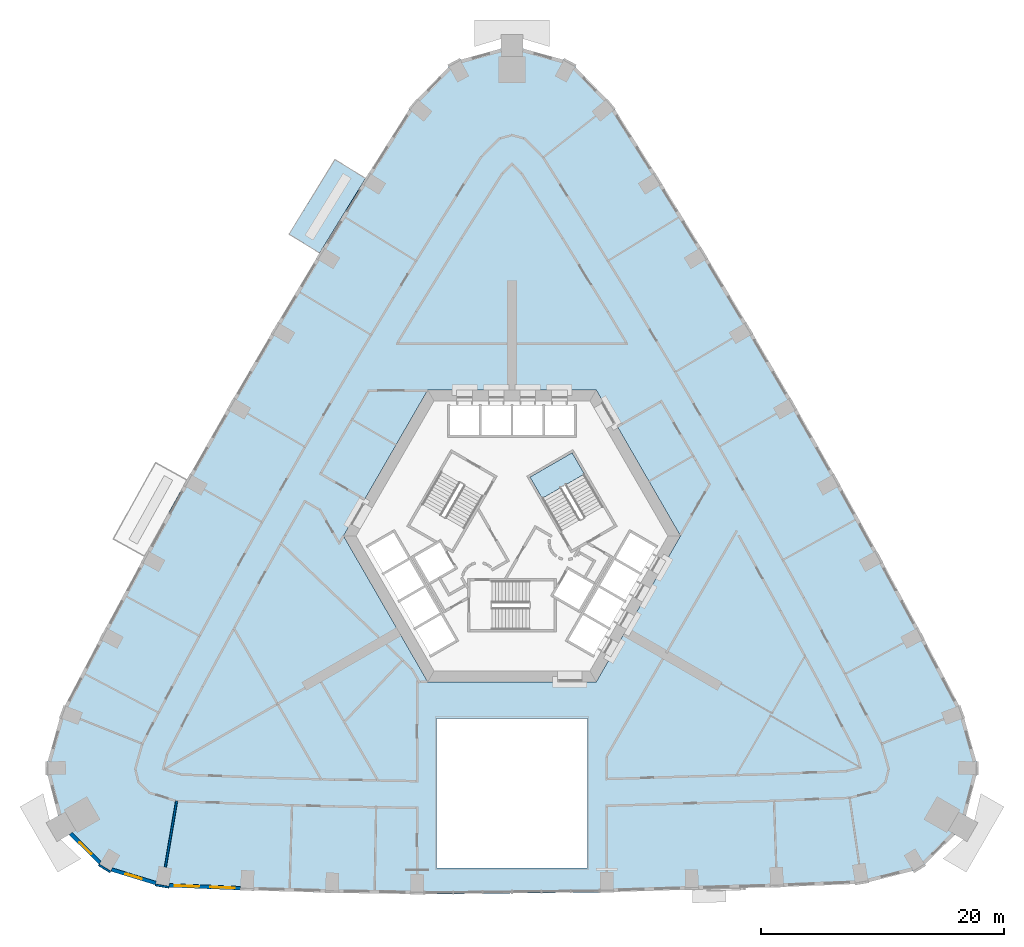
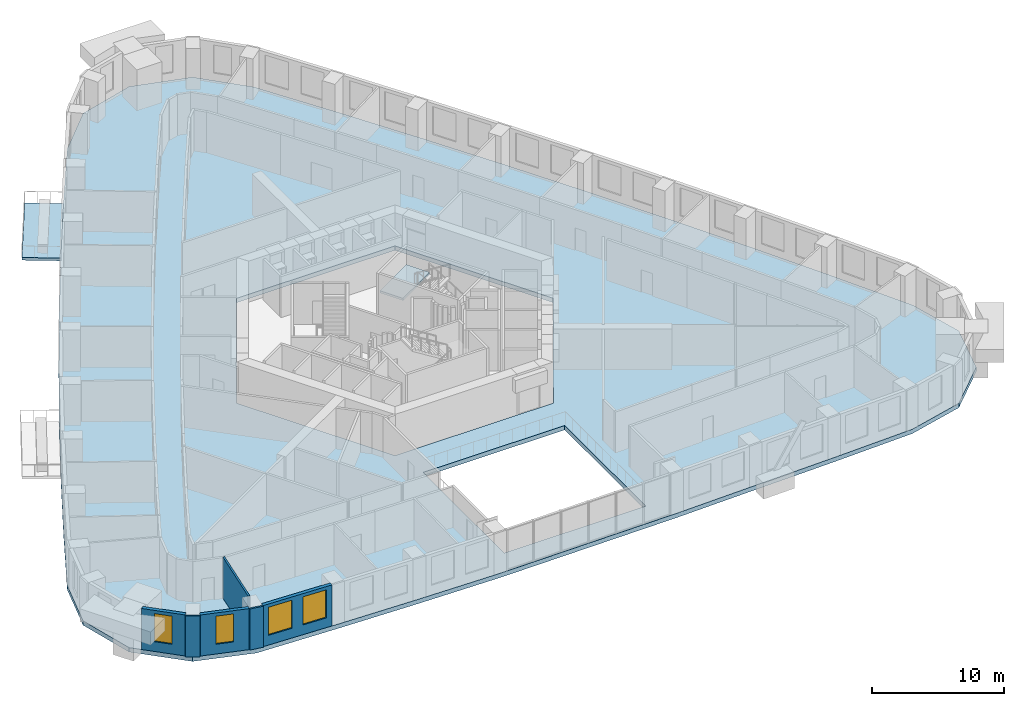
# One storey, part 3 of 15: 6 walls, 4 windows, 3 slabs, 4 openings, 1 element without a shape of its own.
"""IFC4 building model written with IfcOpenShell, lengths in metres."""

import ifcopenshell
import ifcopenshell.guid

model = None  # the IFC model being written
_history = None  # IfcOwnerHistory: only IFC2X3 demands one
_inside = {}  # id of a spatial element -> (the spatial element, [elements in it])
_under = {}  # id of a project, library or spatial element -> (it, [spatial elements below it])
_declared = {}  # id of a project -> (the project, [libraries it declares])
_typed = {}  # id of a type object -> (the type object, [elements of that type])
_made_of = {}  # id of a material, layer set ... -> (it, [elements and type objects made of it])


def new_model(schema):
    """Start an empty IFC model of exactly this schema.

    Asked for "IFC4X3", IfcOpenShell would pick the latest addendum, in which some entities
    have other attributes; the version numbers below select the first issue.
    IFC2X3 requires an IfcOwnerHistory on every rooted entity: one is made here for all.
    """
    global model, _history
    if schema == "IFC4X3":
        model = ifcopenshell.file(schema_version=(4, 3, 0, 0))
    else:
        model = ifcopenshell.file(schema=schema)
    _inside.clear()
    _under.clear()
    _declared.clear()
    _typed.clear()
    _made_of.clear()
    _history = None
    if model.schema == "IFC2X3":
        org = make("IfcOrganization", Name="unknown")
        user = make(
            "IfcPersonAndOrganization",
            ThePerson=make("IfcPerson", FamilyName="unknown"),
            TheOrganization=org,
        )
        app = make(
            "IfcApplication",
            ApplicationDeveloper=org,
            Version="unknown",
            ApplicationFullName="unknown",
            ApplicationIdentifier="unknown",
        )
        _history = make(
            "IfcOwnerHistory",
            OwningUser=user,
            OwningApplication=app,
            ChangeAction="ADDED",
            CreationDate=0,
        )
    return model


def make(cls, **values):
    """One entity of the class cls with the attributes given. An attribute that is None is left unset."""
    return model.create_entity(
        cls, **{name: value for name, value in values.items() if value is not None}
    )


def rooted(cls, **values):
    """An entity with a GlobalId (a new one), such as an element, a storey or a relation."""
    return make(cls, GlobalId=ifcopenshell.guid.new(), OwnerHistory=_history, **values)


def si_unit(unit_type, name, prefix=None):
    """IfcSIUnit, for example si_unit("LENGTHUNIT", "METRE", prefix="MILLI")."""
    return make("IfcSIUnit", UnitType=unit_type, Prefix=prefix, Name=name)


def assignment(units):
    """IfcUnitAssignment: the units of a project."""
    return None if units is None else make("IfcUnitAssignment", Units=units)


def point(xyz):
    """IfcCartesianPoint."""
    return None if xyz is None else make("IfcCartesianPoint", Coordinates=xyz)


def direction(xyz):
    """IfcDirection."""
    return None if xyz is None else make("IfcDirection", DirectionRatios=xyz)


def frame(location, z_axis=None, x_axis=None):
    """IfcAxis2Placement3D, a coordinate frame: its origin and axes. An axis left out is left unset."""
    return make(
        "IfcAxis2Placement3D",
        Location=point(location),
        Axis=direction(z_axis),
        RefDirection=direction(x_axis),
    )


def frame_2d(location, x_axis=None):
    """IfcAxis2Placement2D, a coordinate frame in the plane: its origin and x axis."""
    return make(
        "IfcAxis2Placement2D", Location=point(location), RefDirection=direction(x_axis)
    )


def origin():
    """The frame at (0, 0, 0) with its axes left unset."""
    return frame((0.0, 0.0, 0.0))


def place(relative_to, where):
    """IfcLocalPlacement: puts the frame where relative to a parent placement (None: the world)."""
    return make(
        "IfcLocalPlacement", PlacementRelTo=relative_to, RelativePlacement=where
    )


def context(
    kind, dimensions, precision=None, world=None, true_north=None, identifier=None
):
    """IfcGeometricRepresentationContext, for example the 3D "Model" context."""
    return make(
        "IfcGeometricRepresentationContext",
        ContextIdentifier=identifier,
        ContextType=kind,
        CoordinateSpaceDimension=dimensions,
        Precision=precision,
        WorldCoordinateSystem=world,
        TrueNorth=true_north,
    )


def subcontext(parent, identifier, kind, view, scale=None):
    """IfcGeometricRepresentationSubContext, for example "Body" below "Model"."""
    return make(
        "IfcGeometricRepresentationSubContext",
        ContextIdentifier=identifier,
        ContextType=kind,
        ParentContext=parent,
        TargetScale=scale,
        TargetView=view,
    )


def project(units=None, contexts=None):
    """IfcProject with its units and contexts."""
    return rooted(
        "IfcProject",
        Name="project",
        RepresentationContexts=contexts,
        UnitsInContext=assignment(units),
    )


def spatial(cls, under=None, at=None, **own):
    """A site, building, storey or space (cls), placed at a placement, below another one or the project."""
    s = rooted(cls, ObjectPlacement=at, **own)
    if under is not None:
        _under.setdefault(under.id(), (under, []))[1].append(s)
    return s


def polyline(points):
    """IfcPolyline through the points."""
    return make("IfcPolyline", Points=[point(p) for p in points])


def profile(cls, at=None, kind="AREA", **sizes):
    """A parametric profile (cls). Its sizes go by their IFC names, for example OverallWidth=200.0."""
    return make(cls, ProfileType=kind, Position=at, **sizes)


def rectangle(**sizes):
    """IfcRectangleProfileDef."""
    return profile("IfcRectangleProfileDef", **sizes)


def outline(outer, holes=None, kind="AREA"):
    """IfcArbitraryClosedProfileDef: a profile drawn as a closed curve; with holes, ...WithVoids."""
    if holes is None:
        return make("IfcArbitraryClosedProfileDef", ProfileType=kind, OuterCurve=outer)
    return make(
        "IfcArbitraryProfileDefWithVoids",
        ProfileType=kind,
        OuterCurve=outer,
        InnerCurves=holes,
    )


def extrude(swept, where, along, depth):
    """IfcExtrudedAreaSolid: the profile swept, set in the frame where, extruded along a direction by depth."""
    return make(
        "IfcExtrudedAreaSolid",
        SweptArea=swept,
        Position=where,
        ExtrudedDirection=direction(along),
        Depth=depth,
    )


def shape(context_of_items, identifier, shape_type, items):
    """IfcShapeRepresentation: the items that make up one representation, for example the "Body"."""
    return make(
        "IfcShapeRepresentation",
        ContextOfItems=context_of_items,
        RepresentationIdentifier=identifier,
        RepresentationType=shape_type,
        Items=items,
    )


def material(Name=None, Category=None):
    """IfcMaterial."""
    return make("IfcMaterial", Name=Name, Category=Category)


def layer(
    of_material, thickness, ventilated=None, Name=None, Category=None, Priority=None
):
    """IfcMaterialLayer: one layer of a wall or slab, of a material (None: an air gap)."""
    return make(
        "IfcMaterialLayer",
        Material=of_material,
        LayerThickness=thickness,
        IsVentilated=ventilated,
        Name=Name,
        Category=Category,
        Priority=Priority,
    )


def layer_set(layers, Name=None):
    """IfcMaterialLayerSet."""
    return make("IfcMaterialLayerSet", MaterialLayers=layers, LayerSetName=Name)


def made_of(thing, what):
    """Note that an element or type object is made of a material, layer set ...; save() writes the relation."""
    if what is not None:
        _made_of.setdefault(what.id(), (what, []))[1].append(thing)
    return thing


def type_object(cls, material=None, **own):
    """A type object (cls), such as IfcWallType, which elements share."""
    return made_of(rooted(cls, **own), material)


def element(
    cls,
    number,
    at=None,
    inside=None,
    cuts=None,
    type_object=None,
    material=None,
    context=None,
    identifier="Body",
    shape_type=None,
    held_by="IfcProductDefinitionShape",
    body=None,
    shapes=None,
    **own,
):
    """One element of the class cls, such as IfcWall. Its Tag is "e" and its number.

    at: its placement. inside: the storey or other place that contains it. cuts: it is an
    opening in that element (IfcRelVoidsElement). A single representation is given by context,
    identifier, shape_type and body (its items); several are given by shapes. held_by: the class
    of the entity that holds the representations. save() writes the other relations.
    """
    e = rooted(cls, Tag="e%d" % number, ObjectPlacement=at, **own)
    if body is not None:
        shapes = [shape(context, identifier, shape_type, body)]
    if shapes is not None:
        e.Representation = make(held_by, Representations=shapes)
    if inside is not None:
        _inside.setdefault(inside.id(), (inside, []))[1].append(e)
    if cuts is not None:
        rooted(
            "IfcRelVoidsElement", RelatingBuildingElement=cuts, RelatedOpeningElement=e
        )
    if type_object is not None:
        _typed.setdefault(type_object.id(), (type_object, []))[1].append(e)
    return made_of(e, material)


def fill(opening, filler):
    """IfcRelFillsElement: the door or window that sits in an opening."""
    return rooted(
        "IfcRelFillsElement",
        RelatingOpeningElement=opening,
        RelatedBuildingElement=filler,
    )


def aggregate(whole, parts):
    """IfcRelAggregates: a whole, such as a stair, and the parts it consists of."""
    return rooted("IfcRelAggregates", RelatingObject=whole, RelatedObjects=parts)


def save(model, path):
    """Write the relations noted so far, then the file.

    IfcRelAggregates (storeys below a building ...), IfcRelContainedInSpatialStructure (elements
    in a storey), IfcRelDefinesByType, IfcRelAssociatesMaterial and IfcRelDeclares: one each for
    every whole, place, type object, material and project.
    """
    for whole, parts in _under.values():
        aggregate(whole, parts)
    for where, things in _inside.values():
        rooted(
            "IfcRelContainedInSpatialStructure",
            RelatedElements=things,
            RelatingStructure=where,
        )
    for kind, things in _typed.values():
        rooted("IfcRelDefinesByType", RelatedObjects=things, RelatingType=kind)
    for what, things in _made_of.values():
        rooted("IfcRelAssociatesMaterial", RelatedObjects=things, RelatingMaterial=what)
    for by, libraries in _declared.values():
        rooted("IfcRelDeclares", RelatingContext=by, RelatedDefinitions=libraries)
    model.write(path)


model = new_model("IFC4")

# Units and contexts
model_context = context("Model", 3, precision=1e-05, world=origin(), true_north=direction((0.0, 1.0)))
body_context = subcontext(model_context, "Body", "Model", "MODEL_VIEW")
ifc_project = project(units=[si_unit("LENGTHUNIT", "METRE"), si_unit("AREAUNIT", "SQUARE_METRE"), si_unit("VOLUMEUNIT", "CUBIC_METRE"), si_unit("PLANEANGLEUNIT", "RADIAN"), si_unit("MASSUNIT", "GRAM", prefix="KILO")], contexts=[model_context])

# Site, building, storey
site_placement = place(None, origin())
site = spatial("IfcSite", under=ifc_project, at=site_placement, CompositionType="ELEMENT")
building_placement = place(site_placement, origin())
building = spatial("IfcBuilding", under=site, at=building_placement, Name="Entoto Arch Interchange Tower", CompositionType="ELEMENT")
storey_placement = place(building_placement, frame((0.0, 0.0, 107.60009765625)))
storey = spatial("IfcBuildingStorey", under=building, at=storey_placement, Name="L23", CompositionType="ELEMENT", Elevation=107.60009765625)

# Slab
ifc_material_1 = material(Name="Board-marked precast concrete C50/60", Category="concrete")
ifc_layer_1 = layer(ifc_material_1, 0.25)
ifc_layer_set_1 = layer_set([ifc_layer_1], Name="Board-marked precast concrete C50/60")
slab_type_1 = type_object("IfcSlabType", Name="BALCONY DECK PRECAST 250", PredefinedType="FLOOR", material=ifc_layer_set_1)
slab_1_placement = place(storey_placement, frame((0.0, 0.0, -0.25)))
element("IfcSlab", 1, at=slab_1_placement, inside=storey, type_object=slab_type_1, Name="Planted balcony NW-02 L23", PredefinedType="FLOOR", context=body_context, shape_type="SweptSolid", body=[
    extrude(outline(polyline([(-12.0458984375, 31.905029296875), (-15.822021484375, 25.77001953125), (-18.333984375, 27.31591796875), (-14.55810546875, 33.450927734375), (-12.0458984375, 31.905029296875)])), origin(), (0.0, 0.0, 1.0), 0.25),
])

# Stair, slab
ifc_material_2 = material(Name="Concrete C40/50", Category="concrete")
stair_type = type_object("IfcStairType", Name="EXIT STAIR RC 1800", PredefinedType="HALF_TURN_STAIR", material=ifc_material_2)
stair_placement = place(storey_placement, origin())
stair = element("IfcStair", 2, at=stair_placement, inside=storey, type_object=stair_type, Name="L23 Exit stair NE", PredefinedType="HALF_TURN_STAIR")
ifc_layer_2 = layer(ifc_material_2, 0.199951171875)
ifc_layer_set_2 = layer_set([ifc_layer_2], Name="Concrete C40/50")
slab_type_2 = type_object("IfcSlabType", Name="EXIT STAIR LANDING RC 200", PredefinedType="LANDING", material=ifc_layer_set_2)
slab_2_placement = place(storey_placement, frame((0.0, 0.0, 1.89990234375)))
slab_2 = element("IfcSlab", 3, at=slab_2_placement, type_object=slab_type_2, Name="ST-NE landing 1", PredefinedType="LANDING", context=body_context, shape_type="SweptSolid", body=[
    extrude(outline(polyline([(5.953369140625, 7.58837890625), (4.943359375, 9.337890625), (1.479248046875, 7.337890625), (2.4892578125, 5.58837890625), (5.953369140625, 7.58837890625)])), origin(), (0.0, 0.0, 1.0), 0.199951171875),
])
aggregate(stair, [slab_2])

# Slab
ifc_layer_3 = layer(ifc_material_2, 0.39990234375)
ifc_layer_set_3 = layer_set([ifc_layer_3], Name="Concrete C40/50")
slab_type_3 = type_object("IfcSlabType", Name="Post-tensioned flat plate 400 C40/50", PredefinedType="FLOOR", material=ifc_layer_set_3)
slab_3_placement = place(storey_placement, frame((0.0, 0.0, -0.400146484375)))
element("IfcSlab", 4, at=slab_3_placement, inside=storey, type_object=slab_type_3, Name="Floor slab L23", PredefinedType="FLOOR", context=body_context, shape_type="SweptSolid", body=[
    extrude(outline(polyline([(-28.783935546875, -26.364990234375), (-21.7890625, -26.64208984375), (-14.794921875, -26.843017578125), (-7.800048828125, -26.966064453125), (7.800048828125, -26.7939453125), (14.794921875, -26.5791015625), (21.7890625, -26.3779296875), (28.783935546875, -26.10107421875), (33.5458984375, -24.90087890625), (37.089111328125, -21.4140625), (38.337890625, -16.60205078125), (37.031982421875, -11.947998046875), (33.653076171875, -5.52099609375), (30.22802734375, 0.81689453125), (26.73291015625, 7.115966796875), (23.166015625, 13.375), (19.529052734375, 19.593017578125), (15.822021484375, 25.77001953125), (12.0458984375, 31.905029296875), (8.1689453125, 38.044921875), (4.7919921875, 41.501953125), (0.0, 42.826904296875), (-4.7919921875, 41.501953125), (-8.1689453125, 38.044921875), (-12.0458984375, 31.905029296875), (-15.822021484375, 25.77001953125), (-19.529052734375, 19.593017578125), (-23.166015625, 13.375), (-26.73291015625, 7.115966796875), (-30.22802734375, 0.81689453125), (-33.653076171875, -5.52099609375), (-37.031982421875, -11.947998046875), (-38.337890625, -16.60205078125), (-37.089111328125, -21.4140625), (-33.5458984375, -24.90087890625), (-28.783935546875, -26.364990234375)]), holes=[polyline([(6.199951171875, -24.7939453125), (6.199951171875, -12.5), (-6.199951171875, -12.5), (-6.199951171875, -24.7939453125), (6.199951171875, -24.7939453125)]), polyline([(13.85595703125, 2.5), (6.927978515625, 14.5), (-6.927978515625, 14.5), (-13.85595703125, 2.5), (-6.927978515625, -9.5), (6.927978515625, -9.5), (13.85595703125, 2.5)])]), origin(), (0.0, 0.0, 1.0), 0.400146484375),
])

# Wall
ifc_material_3 = material(Name="Gypsum board partition on steel studs", Category="steel")
ifc_layer_4 = layer(ifc_material_3, 0.14990234375)
ifc_layer_set_4 = layer_set([ifc_layer_4], Name="Gypsum board partition on steel studs")
wall_type_1 = type_object("IfcWallType", Name="PARTITION 150", PredefinedType="PARTITIONING", material=ifc_layer_set_4)
wall_1_placement = place(storey_placement, frame((-27.580078125, -19.306884765625, 0.0), z_axis=(0.0, 0.0, 1.0), x_axis=(-0.168089900424, -0.98577167, 0.0)))
element("IfcWall", 5, at=wall_1_placement, inside=storey, type_object=wall_type_1, Name="wall:L23:p153", PredefinedType="PARTITIONING", context=body_context, shape_type="SweptSolid", body=[
    extrude(rectangle(XDim=5.490234375, YDim=0.14990234375, at=frame_2d((2.7451171875, 0.0))), origin(), (0.0, 0.0, 1.0), 3.7998046875),
])

# Wall, openings, windows
ifc_material_4 = material(Name="Welded tuff (ignimbrite) cladding, warm buff", Category="masonry")
ifc_layer_5 = layer(ifc_material_4, 0.300048828125)
ifc_layer_set_5 = layer_set([ifc_layer_5], Name="Welded tuff (ignimbrite) cladding, warm buff")
wall_type_2 = type_object("IfcWallType", Name="STONE INFILL WALL 300", PredefinedType="STANDARD", material=ifc_layer_set_5)
wall_2_placement = place(storey_placement, frame((-28.205078125, -26.238037109375, 0.0), z_axis=(0.0, 0.0, 1.0), x_axis=(0.99922113396, -0.039460428885, 0.0)))
wall_2 = element("IfcWall", 6, at=wall_2_placement, inside=storey, type_object=wall_type_2, Name="Facade wall S-01 L23", PredefinedType="STANDARD", context=body_context, shape_type="SweptSolid", body=[
    extrude(rectangle(XDim=5.877685546875, YDim=0.300048828125, at=frame_2d((2.93896484375, 0.0))), origin(), (0.0, 0.0, 1.0), 3.7998046875),
])
opening_1_placement = place(wall_2_placement, frame((0.468994140625, 0.0, 0.89990234375)))
opening_1 = element("IfcOpeningElement", 7, at=opening_1_placement, cuts=wall_2, Name="Opening WO-C", PredefinedType="OPENING", context=body_context, shape_type="SweptSolid", body=[
    extrude(rectangle(XDim=2.0, YDim=2.60009765625, at=frame_2d((1.0, 1.300048828125))), frame((0.0, 0.16015625, 0.0), z_axis=(0.0, -1.0, 0.0), x_axis=(1.0, 0.0, 0.0)), (0.0, 0.0, 1.0), 0.320068359375),
])
opening_2_placement = place(wall_2_placement, frame((3.407958984375, 0.0, 0.89990234375)))
opening_2 = element("IfcOpeningElement", 8, at=opening_2_placement, cuts=wall_2, Name="Opening WO-C", PredefinedType="OPENING", context=body_context, shape_type="SweptSolid", body=[
    extrude(rectangle(XDim=2.0, YDim=2.60009765625, at=frame_2d((1.0, 1.300048828125))), frame((0.0, 0.16015625, 0.0), z_axis=(0.0, -1.0, 0.0), x_axis=(1.0, 0.0, 0.0)), (0.0, 0.0, 1.0), 0.320068359375),
])
ifc_material_5 = material(Name="Clear glass, low-e double glazed", Category="glass")
window_type_1 = type_object("IfcWindowType", Name="WINDOW WO-C 2000x2600", PartitioningType="DOUBLE_PANEL_VERTICAL", PredefinedType="WINDOW", material=ifc_material_5)
window_1_placement = place(opening_1_placement, origin())
window_1 = element("IfcWindow", 9, at=window_1_placement, inside=storey, type_object=window_type_1, Name="Window WO-C S-01 L23", OverallHeight=2.60009765625, OverallWidth=2.0, PartitioningType="SINGLE_PANEL", PredefinedType="WINDOW", context=body_context, shape_type="SweptSolid", body=[
    extrude(rectangle(XDim=2.0, YDim=2.60009765625, at=frame_2d((1.0, 1.300048828125))), frame((0.0, 0.030029296875, 0.0), z_axis=(0.0, -1.0, 0.0), x_axis=(1.0, 0.0, 0.0)), (0.0, 0.0, 1.0), 0.06005859375),
])
fill(opening_1, window_1)
window_2_placement = place(opening_2_placement, origin())
window_2 = element("IfcWindow", 10, at=window_2_placement, inside=storey, type_object=window_type_1, Name="Window WO-C S-01 L23", OverallHeight=2.60009765625, OverallWidth=2.0, PartitioningType="SINGLE_PANEL", PredefinedType="WINDOW", context=body_context, shape_type="SweptSolid", body=[
    extrude(rectangle(XDim=2.0, YDim=2.60009765625, at=frame_2d((1.0, 1.300048828125))), frame((0.0, 0.030029296875, 0.0), z_axis=(0.0, -1.0, 0.0), x_axis=(1.0, 0.0, 0.0)), (0.0, 0.0, 1.0), 0.06005859375),
])
fill(opening_2, window_2)

# Wall, opening, window
wall_3_placement = place(storey_placement, frame((-36.2890625, -21.989990234375, 0.0), z_axis=(0.0, 0.0, 1.0), x_axis=(0.712546371703, -0.701625019631, 0.0)))
wall_3 = element("IfcWall", 11, at=wall_3_placement, inside=storey, type_object=wall_type_2, Name="Facade wall SW-03 L23", PredefinedType="STANDARD", context=body_context, shape_type="SweptSolid", body=[
    extrude(rectangle(XDim=3.39794921875, YDim=0.300048828125, at=frame_2d((1.698974609375, 0.0))), origin(), (0.0, 0.0, 1.0), 3.7998046875),
])
opening_3_placement = place(wall_3_placement, frame((0.9990234375, 0.0, 0.89990234375)))
opening_3 = element("IfcOpeningElement", 12, at=opening_3_placement, cuts=wall_3, Name="Opening WO-B", PredefinedType="OPENING", context=body_context, shape_type="SweptSolid", body=[
    extrude(rectangle(XDim=1.39990234375, YDim=2.60009765625, at=frame_2d((0.699951171875, 1.300048828125))), frame((0.0, 0.16015625, 0.0), z_axis=(0.0, -1.0, 0.0), x_axis=(1.0, 0.0, 0.0)), (0.0, 0.0, 1.0), 0.320068359375),
])
window_type_2 = type_object("IfcWindowType", Name="WINDOW WO-B 1400x2600", PartitioningType="DOUBLE_PANEL_VERTICAL", PredefinedType="WINDOW", material=ifc_material_5)
window_3_placement = place(opening_3_placement, origin())
window_3 = element("IfcWindow", 13, at=window_3_placement, inside=storey, type_object=window_type_2, Name="Window WO-B SW-03 L23", OverallHeight=2.60009765625, OverallWidth=1.39990234375, PartitioningType="SINGLE_PANEL", PredefinedType="WINDOW", context=body_context, shape_type="SweptSolid", body=[
    extrude(rectangle(XDim=1.39990234375, YDim=2.60009765625, at=frame_2d((0.699951171875, 1.300048828125))), frame((0.0, 0.030029296875, 0.0), z_axis=(0.0, -1.0, 0.0), x_axis=(1.0, 0.0, 0.0)), (0.0, 0.0, 1.0), 0.06005859375),
])
fill(opening_3, window_3)

wall_4_placement = place(storey_placement, frame((-32.924072265625, -24.93505859375, 0.0), z_axis=(0.0, 0.0, 1.0), x_axis=(0.955841433148, -0.293882892794, 0.0)))
wall_4 = element("IfcWall", 14, at=wall_4_placement, inside=storey, type_object=wall_type_2, Name="Facade wall SW-04 L23", PredefinedType="STANDARD", context=body_context, shape_type="SweptSolid", body=[
    extrude(rectangle(XDim=3.803955078125, YDim=0.300048828125, at=frame_2d((1.90185546875, 0.0))), origin(), (0.0, 0.0, 1.0), 3.7998046875),
])
opening_4_placement = place(wall_4_placement, frame((1.201904296875, 0.0, 0.89990234375)))
opening_4 = element("IfcOpeningElement", 15, at=opening_4_placement, cuts=wall_4, Name="Opening WO-B", PredefinedType="OPENING", context=body_context, shape_type="SweptSolid", body=[
    extrude(rectangle(XDim=1.39990234375, YDim=2.60009765625, at=frame_2d((0.699951171875, 1.300048828125))), frame((0.0, 0.16015625, 0.0), z_axis=(0.0, -1.0, 0.0), x_axis=(1.0, 0.0, 0.0)), (0.0, 0.0, 1.0), 0.320068359375),
])
window_4_placement = place(opening_4_placement, origin())
window_4 = element("IfcWindow", 16, at=window_4_placement, inside=storey, type_object=window_type_2, Name="Window WO-B SW-04 L23", OverallHeight=2.60009765625, OverallWidth=1.39990234375, PartitioningType="SINGLE_PANEL", PredefinedType="WINDOW", context=body_context, shape_type="SweptSolid", body=[
    extrude(rectangle(XDim=1.39990234375, YDim=2.60009765625, at=frame_2d((0.699951171875, 1.300048828125))), frame((0.0, 0.030029296875, 0.0), z_axis=(0.0, -1.0, 0.0), x_axis=(1.0, 0.0, 0.0)), (0.0, 0.0, 1.0), 0.06005859375),
])
fill(opening_4, window_4)

# Walls
ifc_layer_6 = layer(ifc_material_4, 0.14990234375)
ifc_layer_set_6 = layer_set([ifc_layer_6], Name="Welded tuff (ignimbrite) cladding, warm buff")
wall_type_3 = type_object("IfcWallType", Name="STONE PIER CLADDING 150", PredefinedType="STANDARD", material=ifc_layer_set_6)
wall_5_placement = place(storey_placement, frame((-29.31396484375, -26.198974609375, 0.0), z_axis=(0.0, 0.0, 1.0), x_axis=(0.985763338892, -0.168138751323, 0.0)))
element("IfcWall", 17, at=wall_5_placement, inside=storey, type_object=wall_type_3, Name="Stone pier S01 L23", PredefinedType="STANDARD", context=body_context, shape_type="SweptSolid", body=[
    extrude(rectangle(XDim=1.1005859375, YDim=0.14990234375, at=frame_2d((0.55029296875, 0.0))), origin(), (0.0, 0.0, 1.0), 3.7998046875),
])
wall_6_placement = place(storey_placement, frame((-33.97705078125, -24.551025390625, 0.0), z_axis=(0.0, 0.0, 1.0), x_axis=(0.854245682901, -0.519869515594, 0.0)))
element("IfcWall", 18, at=wall_6_placement, inside=storey, type_object=wall_type_3, Name="Stone pier SW3 L23", PredefinedType="STANDARD", context=body_context, shape_type="SweptSolid", body=[
    extrude(rectangle(XDim=1.100341796875, YDim=0.14990234375, at=frame_2d((0.55029296875, 0.0))), origin(), (0.0, 0.0, 1.0), 3.7998046875),
])

save(model, "model.ifc")
